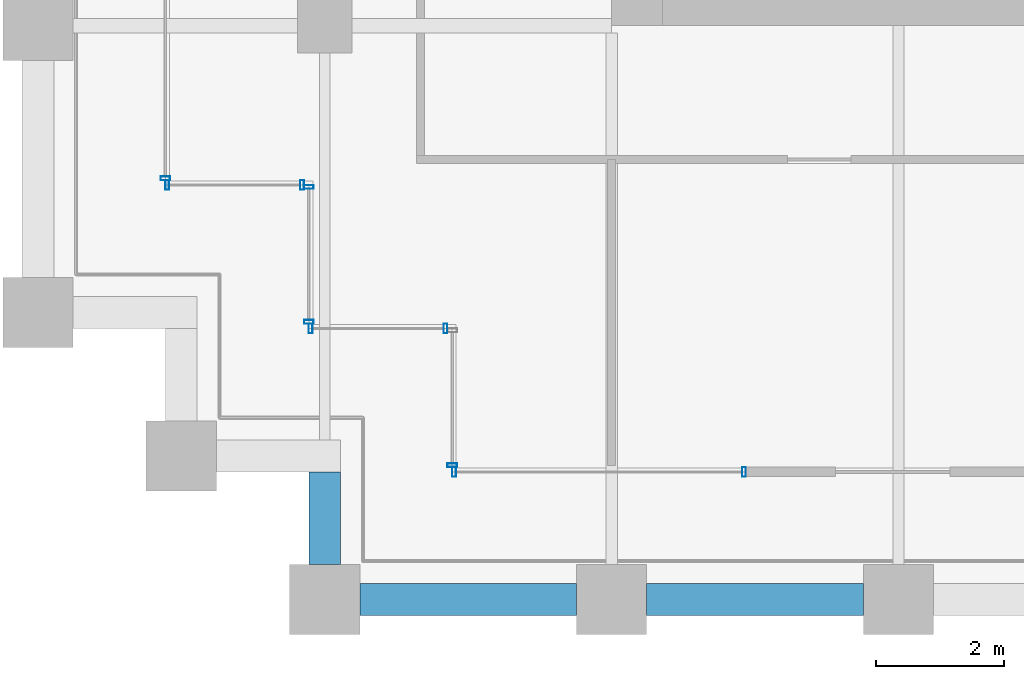
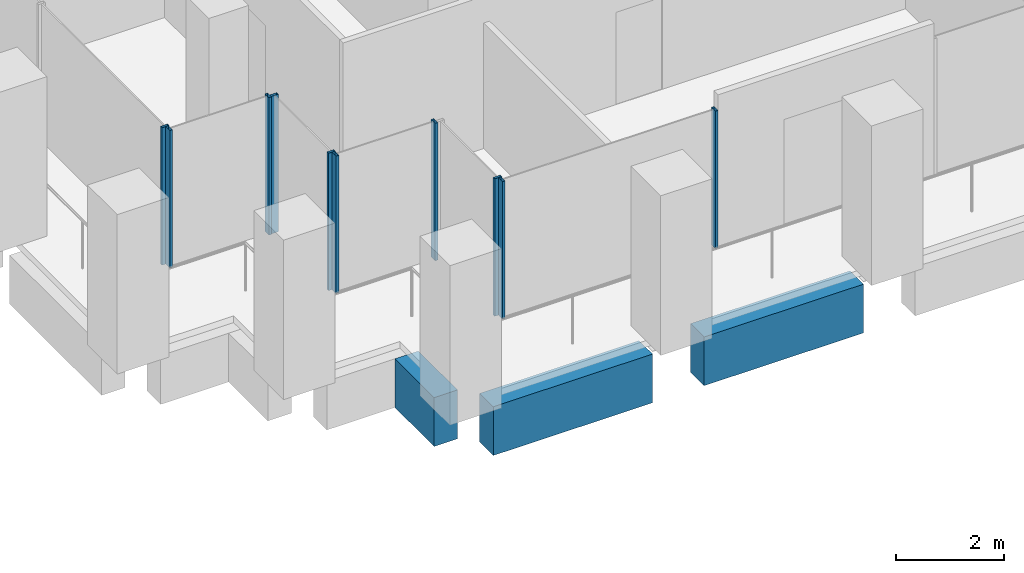
# One storey, part 34 of 56: 10 members, 3 beams, 6 elements without a shape of their own.
"""IFC4 building model written with IfcOpenShell, lengths in metres."""

from ifc_helpers import new_model, si_unit, direction, frame, origin, origin_2d, place, context, subcontext, project, spatial, rectangle, hollow_rectangle, extrude, material, material_profile, profile_set, type_object, element, aggregate, save


model = new_model("IFC4")

# Units and contexts
model_context = context("Model", 3, precision=1e-05, world=origin(), true_north=direction((0.0, 1.0)))
body_context = subcontext(model_context, "Body", "Model", "MODEL_VIEW")
ifc_project = project(units=[si_unit("LENGTHUNIT", "METRE"), si_unit("AREAUNIT", "SQUARE_METRE"), si_unit("VOLUMEUNIT", "CUBIC_METRE"), si_unit("PLANEANGLEUNIT", "RADIAN"), si_unit("MASSUNIT", "GRAM", prefix="KILO")], contexts=[model_context])

# Site, building, storey
site_placement = place(None, origin())
site = spatial("IfcSite", under=ifc_project, at=site_placement, CompositionType="ELEMENT")
building_placement = place(site_placement, origin())
building = spatial("IfcBuilding", under=site, at=building_placement, Name="Altepetl Exchange Towers", CompositionType="ELEMENT")
storey_placement = place(building_placement, frame((0.0, 0.0, 72.60009765625)))
storey = spatial("IfcBuildingStorey", under=building, at=storey_placement, Name="L17", CompositionType="ELEMENT", Elevation=72.60009765625)

# Curtain wall, member
ifc_material_1 = material(Name="Aluminium 6063-T6 glazing", Category="aluminium")
curtain_wall_type = type_object("IfcCurtainWallType", Name="Loggia glazing system", PredefinedType="NOTDEFINED", material=ifc_material_1)
curtain_wall_1_placement = place(storey_placement, origin())
curtain_wall_1 = element("IfcCurtainWall", 1, at=curtain_wall_1_placement, inside=storey, type_object=curtain_wall_type, Name="CW1 run", PredefinedType="NOTDEFINED")
ifc_material_2 = material(Name="Aluminium 6063-T6", Category="aluminium")
ifc_material_profile_1 = material_profile(ifc_material_2, hollow_rectangle(XDim=0.06005859375, YDim=0.14990234375, WallThickness=0.0029296875, at=origin_2d()), Name="Mullion 60x150 aluminium")
ifc_profile_set_1 = profile_set([ifc_material_profile_1], Name="Aluminium 6063-T6")
member_type = type_object("IfcMemberType", Name="Mullion 60x150 aluminium", PredefinedType="MULLION", material=ifc_profile_set_1)
member_1_placement = place(storey_placement, frame((96.5, 33.60498046875, 0.0), z_axis=(0.0, 0.0, 1.0), x_axis=(0.0, -1.0, 0.0)))
member_1 = element("IfcMember", 2, at=member_1_placement, type_object=member_type, Name="MU1 mullion", PredefinedType="MULLION", context=body_context, shape_type="SweptSolid", body=[
    extrude(hollow_rectangle(XDim=0.06005859375, YDim=0.14990234375, WallThickness=0.0029296875, at=origin_2d()), origin(), (0.0, 0.0, 1.0), 3.099853515625),
])
aggregate(curtain_wall_1, [member_1])

# Curtain wall, members
curtain_wall_2_placement = place(storey_placement, origin())
curtain_wall_2 = element("IfcCurtainWall", 3, at=curtain_wall_2_placement, inside=storey, type_object=curtain_wall_type, Name="CW1 run", PredefinedType="NOTDEFINED")
member_2_placement = place(storey_placement, frame((96.530029296875, 33.5, 0.0)))
member_2 = element("IfcMember", 4, at=member_2_placement, type_object=member_type, Name="MU1 mullion", PredefinedType="MULLION", context=body_context, shape_type="SweptSolid", body=[
    extrude(hollow_rectangle(XDim=0.06005859375, YDim=0.14990234375, WallThickness=0.0029296875, at=origin_2d()), origin(), (0.0, 0.0, 1.0), 3.099853515625),
])
member_3_placement = place(storey_placement, frame((98.64501953125, 33.5, 0.0)))
member_3 = element("IfcMember", 5, at=member_3_placement, type_object=member_type, Name="MU1 mullion", PredefinedType="MULLION", context=body_context, shape_type="SweptSolid", body=[
    extrude(hollow_rectangle(XDim=0.06005859375, YDim=0.14990234375, WallThickness=0.0029296875, at=origin_2d()), origin(), (0.0, 0.0, 1.0), 3.099853515625),
])
aggregate(curtain_wall_2, [member_2, member_3])

curtain_wall_3_placement = place(storey_placement, origin())
curtain_wall_3 = element("IfcCurtainWall", 6, at=curtain_wall_3_placement, inside=storey, type_object=curtain_wall_type, Name="CW1 run", PredefinedType="NOTDEFINED")
member_4_placement = place(storey_placement, frame((98.75, 33.469970703125, 0.0), z_axis=(0.0, 0.0, 1.0), x_axis=(0.0, -1.0, 0.0)))
member_4 = element("IfcMember", 7, at=member_4_placement, type_object=member_type, Name="MU1 mullion", PredefinedType="MULLION", context=body_context, shape_type="SweptSolid", body=[
    extrude(hollow_rectangle(XDim=0.06005859375, YDim=0.14990234375, WallThickness=0.0029296875, at=origin_2d()), origin(), (0.0, 0.0, 1.0), 3.099853515625),
])
member_5_placement = place(storey_placement, frame((98.75, 31.35498046875, 0.0), z_axis=(0.0, 0.0, 1.0), x_axis=(0.0, -1.0, 0.0)))
member_5 = element("IfcMember", 8, at=member_5_placement, type_object=member_type, Name="MU1 mullion", PredefinedType="MULLION", context=body_context, shape_type="SweptSolid", body=[
    extrude(hollow_rectangle(XDim=0.06005859375, YDim=0.14990234375, WallThickness=0.0029296875, at=origin_2d()), origin(), (0.0, 0.0, 1.0), 3.099853515625),
])
aggregate(curtain_wall_3, [member_4, member_5])

curtain_wall_4_placement = place(storey_placement, origin())
curtain_wall_4 = element("IfcCurtainWall", 9, at=curtain_wall_4_placement, inside=storey, type_object=curtain_wall_type, Name="CW1 run", PredefinedType="NOTDEFINED")
member_6_placement = place(storey_placement, frame((98.780029296875, 31.25, 0.0)))
member_6 = element("IfcMember", 10, at=member_6_placement, type_object=member_type, Name="MU1 mullion", PredefinedType="MULLION", context=body_context, shape_type="SweptSolid", body=[
    extrude(hollow_rectangle(XDim=0.06005859375, YDim=0.14990234375, WallThickness=0.0029296875, at=origin_2d()), origin(), (0.0, 0.0, 1.0), 3.099853515625),
])
member_7_placement = place(storey_placement, frame((100.89501953125, 31.25, 0.0)))
member_7 = element("IfcMember", 11, at=member_7_placement, type_object=member_type, Name="MU1 mullion", PredefinedType="MULLION", context=body_context, shape_type="SweptSolid", body=[
    extrude(hollow_rectangle(XDim=0.06005859375, YDim=0.14990234375, WallThickness=0.0029296875, at=origin_2d()), origin(), (0.0, 0.0, 1.0), 3.099853515625),
])
aggregate(curtain_wall_4, [member_6, member_7])

# Curtain wall, member
curtain_wall_5_placement = place(storey_placement, origin())
curtain_wall_5 = element("IfcCurtainWall", 12, at=curtain_wall_5_placement, inside=storey, type_object=curtain_wall_type, Name="CW1 run", PredefinedType="NOTDEFINED")
member_8_placement = place(storey_placement, frame((101.0, 29.10498046875, 0.0), z_axis=(0.0, 0.0, 1.0), x_axis=(0.0, -1.0, 0.0)))
member_8 = element("IfcMember", 13, at=member_8_placement, type_object=member_type, Name="MU1 mullion", PredefinedType="MULLION", context=body_context, shape_type="SweptSolid", body=[
    extrude(hollow_rectangle(XDim=0.06005859375, YDim=0.14990234375, WallThickness=0.0029296875, at=origin_2d()), origin(), (0.0, 0.0, 1.0), 3.099853515625),
])
aggregate(curtain_wall_5, [member_8])

# Curtain wall, members
curtain_wall_6_placement = place(storey_placement, origin())
curtain_wall_6 = element("IfcCurtainWall", 14, at=curtain_wall_6_placement, inside=storey, type_object=curtain_wall_type, Name="CW1 run", PredefinedType="NOTDEFINED")
member_9_placement = place(storey_placement, frame((101.030029296875, 29.0, 0.0)))
member_9 = element("IfcMember", 15, at=member_9_placement, type_object=member_type, Name="MU1 mullion", PredefinedType="MULLION", context=body_context, shape_type="SweptSolid", body=[
    extrude(hollow_rectangle(XDim=0.06005859375, YDim=0.14990234375, WallThickness=0.0029296875, at=origin_2d()), origin(), (0.0, 0.0, 1.0), 3.099853515625),
])
member_10_placement = place(storey_placement, frame((105.576171875, 29.0, 0.0)))
member_10 = element("IfcMember", 16, at=member_10_placement, type_object=member_type, Name="MU1 mullion", PredefinedType="MULLION", context=body_context, shape_type="SweptSolid", body=[
    extrude(hollow_rectangle(XDim=0.06005859375, YDim=0.14990234375, WallThickness=0.0029296875, at=origin_2d()), origin(), (0.0, 0.0, 1.0), 3.099853515625),
])
aggregate(curtain_wall_6, [member_9, member_10])

# Beams
ifc_material_3 = material(Name="Concrete C50/60 precast with tezontle facing", Category="concrete")
ifc_material_profile_2 = material_profile(ifc_material_3, rectangle(XDim=0.5, YDim=1.10009765625, at=origin_2d()), Name="500 x 1100")
ifc_profile_set_2 = profile_set([ifc_material_profile_2], Name="Concrete C50/60 precast with tezontle facing")
beam_type = type_object("IfcBeamType", Name="Spandrel beam 500x1100 tezontle", PredefinedType="SPANDREL", material=ifc_profile_set_2)
for number, where, z_axis, x_axis, name in (
    (17, (99.550048828125, 27.0, -0.7001953125), (1.0, 0.0, 0.0), (0.0, 1.0, 0.0), "sp:B:L17:000"),
    (18, (104.050048828125, 27.0, -0.7001953125), (1.0, 0.0, 0.0), (0.0, 1.0, 0.0), "sp:B:L17:001"),
):
    element("IfcBeam", number, at=place(storey_placement, frame(where, z_axis=z_axis, x_axis=x_axis)), inside=storey, type_object=beam_type, Name=name, PredefinedType="SPANDREL", context=body_context, shape_type="SweptSolid", body=[
        extrude(rectangle(XDim=0.5, YDim=1.10009765625, at=origin_2d()), origin(), (0.0, 0.0, 1.0), 3.39990234375),
    ])
beam_placement = place(storey_placement, frame((99.0, 29.0, -0.7001953125), z_axis=(0.0, -1.0, 0.0), x_axis=(1.0, 0.0, 0.0)))
element("IfcBeam", 19, at=beam_placement, inside=storey, type_object=beam_type, Name="sp:B:L17:035", PredefinedType="SPANDREL", context=body_context, shape_type="SweptSolid", body=[
    extrude(rectangle(XDim=0.5, YDim=1.10009765625, at=origin_2d()), origin(), (0.0, 0.0, 1.0), 1.449951171875),
])

save(model, "model.ifc")
